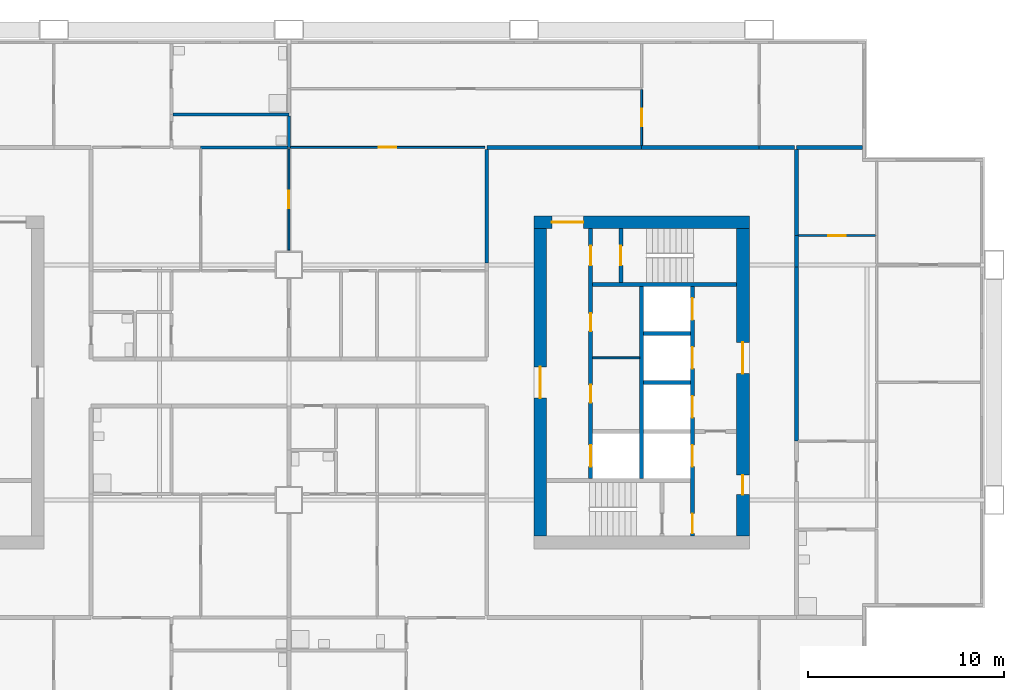
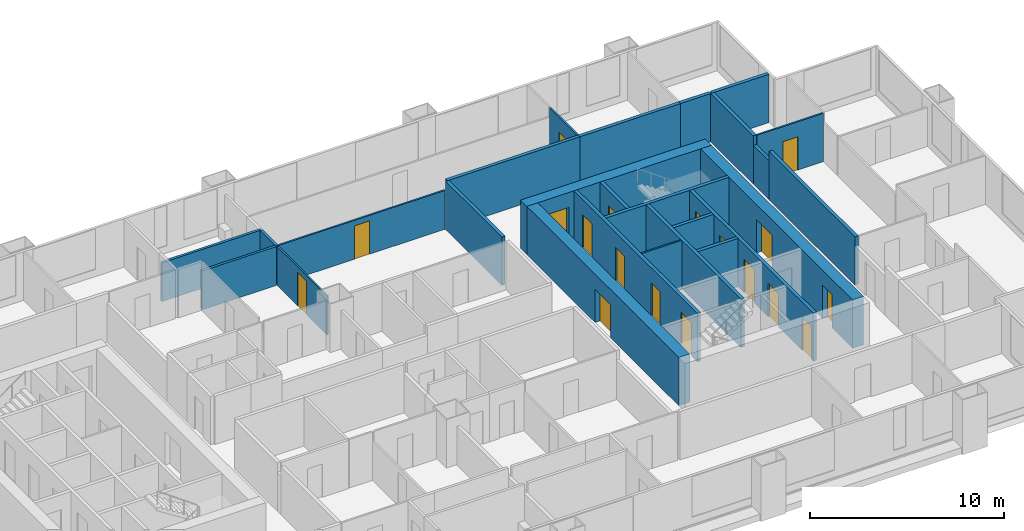
# One storey, part 7 of 11: 26 walls, 18 doors, 18 openings.
"""IFC4 building model written with IfcOpenShell, lengths in metres."""

from ifc_helpers import new_model, si_unit, direction, frame, frame_2d, origin, place, context, subcontext, project, spatial, rectangle, extrude, material, layer, layer_set, type_object, element, fill, save


model = new_model("IFC4")

# Units and contexts
model_context = context("Model", 3, precision=1e-05, world=origin(), true_north=direction((0.0, 1.0)))
body_context = subcontext(model_context, "Body", "Model", "MODEL_VIEW")
ifc_project = project(units=[si_unit("LENGTHUNIT", "METRE"), si_unit("AREAUNIT", "SQUARE_METRE"), si_unit("VOLUMEUNIT", "CUBIC_METRE"), si_unit("PLANEANGLEUNIT", "RADIAN"), si_unit("MASSUNIT", "GRAM", prefix="KILO")], contexts=[model_context])

# Site, building, storey
site_placement = place(None, origin())
site = spatial("IfcSite", under=ifc_project, at=site_placement, CompositionType="ELEMENT")
building_placement = place(site_placement, origin())
building = spatial("IfcBuilding", under=site, at=building_placement, Name="Kitamizu Gate Tower and Museum", CompositionType="ELEMENT")
storey_placement = place(building_placement, frame((0.0, 0.0, 103.5)))
storey = spatial("IfcBuildingStorey", under=building, at=storey_placement, Name="L26", CompositionType="ELEMENT", Elevation=103.5)

# Wall, opening, door
ifc_material_1 = material(Name="Concrete Fc60", Category="concrete")
ifc_layer_1 = layer(ifc_material_1, 0.64990234375)
ifc_layer_set_1 = layer_set([ifc_layer_1], Name="Concrete Fc60")
wall_type_1 = type_object("IfcWallType", Name="Core wall 650", PredefinedType="SHEAR", material=ifc_layer_set_1)
wall_1_placement = place(storey_placement, frame((59.5, 38.175048828125, 0.0), z_axis=(0.0, 0.0, 1.0), x_axis=(-1.0, 0.0, 0.0)))
wall_1 = element("IfcWall", 1, at=wall_1_placement, inside=storey, type_object=wall_type_1, Name="Core wall EN", PredefinedType="SHEAR", context=body_context, shape_type="SweptSolid", body=[
    extrude(rectangle(XDim=11.0, YDim=0.64990234375, at=frame_2d((5.5, 0.0))), origin(), (0.0, 0.0, 1.0), 3.050048828125),
])
opening_1_placement = place(wall_1_placement, frame((8.47509765625, 0.0, 0.0)))
opening_1 = element("IfcOpeningElement", 2, at=opening_1_placement, cuts=wall_1, Name="Opening L26-074", PredefinedType="OPENING", context=body_context, shape_type="SweptSolid", body=[
    extrude(rectangle(XDim=1.60009765625, YDim=2.10009765625, at=frame_2d((0.800048828125, 1.050048828125))), frame((0.0, 0.3349609375, 0.0), z_axis=(0.0, -1.0, 0.0), x_axis=(1.0, 0.0, 0.0)), (0.0, 0.0, 1.0), 0.669921875),
])
ifc_material_2 = material(Name="Timber door set", Category="wood")
door_type_1 = type_object("IfcDoorType", Name="Entrance door 1600", OperationType="DOUBLE_DOOR_SINGLE_SWING", PredefinedType="DOOR", material=ifc_material_2)
door_1_placement = place(opening_1_placement, origin())
door_1 = element("IfcDoor", 3, at=door_1_placement, inside=storey, type_object=door_type_1, Name="Lobby door L26-074", OperationType="DOUBLE_DOOR_SINGLE_SWING", OverallHeight=2.10009765625, OverallWidth=1.60009765625, PredefinedType="DOOR", context=body_context, shape_type="SweptSolid", body=[
    extrude(rectangle(XDim=1.60009765625, YDim=2.10009765625, at=frame_2d((0.800048828125, 1.050048828125))), frame((0.0, 0.02490234375, 0.0), z_axis=(0.0, -1.0, 0.0), x_axis=(1.0, 0.0, 0.0)), (0.0, 0.0, 1.0), 0.050048828125),
])
fill(opening_1, door_1)

# Wall, openings, doors
wall_2_placement = place(storey_placement, frame((59.175048828125, 22.14990234375, 0.0), z_axis=(0.0, 0.0, 1.0), x_axis=(0.0, 1.0, 0.0)))
wall_2 = element("IfcWall", 4, at=wall_2_placement, inside=storey, type_object=wall_type_1, Name="Core wall EOUT", PredefinedType="SHEAR", context=body_context, shape_type="SweptSolid", body=[
    extrude(rectangle(XDim=15.7001953125, YDim=0.64990234375, at=frame_2d((7.85009765625, 0.0))), origin(), (0.0, 0.0, 1.0), 3.050048828125),
])
opening_2_placement = place(wall_2_placement, frame((8.300048828125, 0.0, 0.0)))
opening_2 = element("IfcOpeningElement", 5, at=opening_2_placement, cuts=wall_2, Name="Opening L26-072", PredefinedType="OPENING", context=body_context, shape_type="SweptSolid", body=[
    extrude(rectangle(XDim=1.60009765625, YDim=2.10009765625, at=frame_2d((0.800048828125, 1.050048828125))), frame((0.0, 0.3349609375, 0.0), z_axis=(0.0, -1.0, 0.0), x_axis=(1.0, 0.0, 0.0)), (0.0, 0.0, 1.0), 0.669921875),
])
opening_3_placement = place(wall_2_placement, frame((2.125, 0.0, 0.0)))
opening_3 = element("IfcOpeningElement", 6, at=opening_3_placement, cuts=wall_2, Name="Opening L26-073", PredefinedType="OPENING", context=body_context, shape_type="SweptSolid", body=[
    extrude(rectangle(XDim=1.0, YDim=2.10009765625, at=frame_2d((0.5, 1.050048828125))), frame((0.0, 0.3349609375, 0.0), z_axis=(0.0, -1.0, 0.0), x_axis=(1.0, 0.0, 0.0)), (0.0, 0.0, 1.0), 0.669921875),
])
door_2_placement = place(opening_2_placement, origin())
door_2 = element("IfcDoor", 7, at=door_2_placement, inside=storey, type_object=door_type_1, Name="Lobby door L26-072", OperationType="DOUBLE_DOOR_SINGLE_SWING", OverallHeight=2.10009765625, OverallWidth=1.60009765625, PredefinedType="DOOR", context=body_context, shape_type="SweptSolid", body=[
    extrude(rectangle(XDim=1.60009765625, YDim=2.10009765625, at=frame_2d((0.800048828125, 1.050048828125))), frame((0.0, 0.02490234375, 0.0), z_axis=(0.0, -1.0, 0.0), x_axis=(1.0, 0.0, 0.0)), (0.0, 0.0, 1.0), 0.050048828125),
])
fill(opening_2, door_2)
ifc_material_3 = material(Name="Hollow metal door set")
door_type_2 = type_object("IfcDoorType", Name="Fire door 1000", OperationType="NOTDEFINED", PredefinedType="DOOR", material=ifc_material_3)
door_3_placement = place(opening_3_placement, origin())
door_3 = element("IfcDoor", 8, at=door_3_placement, inside=storey, type_object=door_type_2, Name="Fire-fighting lobby door L26-073", OperationType="SINGLE_SWING_LEFT", OverallHeight=2.10009765625, OverallWidth=1.0, PredefinedType="DOOR", context=body_context, shape_type="SweptSolid", body=[
    extrude(rectangle(XDim=1.0, YDim=2.10009765625, at=frame_2d((0.5, 1.050048828125))), frame((0.0, 0.02490234375, 0.0), z_axis=(0.0, -1.0, 0.0), x_axis=(1.0, 0.0, 0.0)), (0.0, 0.0, 1.0), 0.050048828125),
])
fill(opening_3, door_3)

# Wall, opening, door
wall_3_placement = place(storey_placement, frame((48.824951171875, 22.14990234375, 0.0), z_axis=(0.0, 0.0, 1.0), x_axis=(0.0, 1.0, 0.0)))
wall_3 = element("IfcWall", 9, at=wall_3_placement, inside=storey, type_object=wall_type_1, Name="Core wall EARC", PredefinedType="SHEAR", context=body_context, shape_type="SweptSolid", body=[
    extrude(rectangle(XDim=15.7001953125, YDim=0.64990234375, at=frame_2d((7.85009765625, 0.0))), origin(), (0.0, 0.0, 1.0), 3.050048828125),
])
opening_4_placement = place(wall_3_placement, frame((7.050048828125, 0.0, 0.0)))
opening_4 = element("IfcOpeningElement", 10, at=opening_4_placement, cuts=wall_3, Name="Opening L26-075", PredefinedType="OPENING", context=body_context, shape_type="SweptSolid", body=[
    extrude(rectangle(XDim=1.60009765625, YDim=2.10009765625, at=frame_2d((0.800048828125, 1.050048828125))), frame((0.0, 0.3349609375, 0.0), z_axis=(0.0, -1.0, 0.0), x_axis=(1.0, 0.0, 0.0)), (0.0, 0.0, 1.0), 0.669921875),
])
door_4_placement = place(opening_4_placement, origin())
door_4 = element("IfcDoor", 11, at=door_4_placement, inside=storey, type_object=door_type_1, Name="Lobby door L26-075", OperationType="DOUBLE_DOOR_SINGLE_SWING", OverallHeight=2.10009765625, OverallWidth=1.60009765625, PredefinedType="DOOR", context=body_context, shape_type="SweptSolid", body=[
    extrude(rectangle(XDim=1.60009765625, YDim=2.10009765625, at=frame_2d((0.800048828125, 1.050048828125))), frame((0.0, 0.02490234375, 0.0), z_axis=(0.0, -1.0, 0.0), x_axis=(1.0, 0.0, 0.0)), (0.0, 0.0, 1.0), 0.050048828125),
])
fill(opening_4, door_4)

# Wall
ifc_material_4 = material(Name="Gypsum board on galvanised stud")
ifc_layer_2 = layer(ifc_material_4, 0.10009765625)
ifc_layer_set_2 = layer_set([ifc_layer_2], Name="Gypsum board on galvanised stud")
wall_type_2 = type_object("IfcWallType", Name="Partition 100", PredefinedType="PARTITIONING", material=ifc_layer_set_2)
wall_4_placement = place(storey_placement, frame((53.89990234375, 31.25, 0.0), z_axis=(0.0, 0.0, 1.0), x_axis=(-1.0, 0.0, 0.0)))
element("IfcWall", 12, at=wall_4_placement, inside=storey, type_object=wall_type_2, Name="Partition EPF1", PredefinedType="PARTITIONING", context=body_context, shape_type="SweptSolid", body=[
    extrude(rectangle(XDim=2.39990234375, YDim=0.10009765625, at=frame_2d((1.199951171875, 0.0))), origin(), (0.0, 0.0, 1.0), 3.050048828125),
])

# Wall, opening, door
ifc_material_5 = material(Name="Gypsum board on galvanised stud")
ifc_layer_3 = layer(ifc_material_5, 0.10009765625)
ifc_layer_set_3 = layer_set([ifc_layer_3], Name="Gypsum board on galvanised stud")
wall_type_3 = type_object("IfcWallType", Name="Partition 100 NOT RATED", PredefinedType="PARTITIONING", material=ifc_layer_set_3)
wall_5_placement = place(storey_placement, frame((65.949951171875, 37.5, 0.0), z_axis=(0.0, 0.0, 1.0), x_axis=(-1.0, 0.0, 0.0)))
wall_5 = element("IfcWall", 13, at=wall_5_placement, inside=storey, type_object=wall_type_3, Name="Partition L26-088", PredefinedType="PARTITIONING", context=body_context, shape_type="SweptSolid", body=[
    extrude(rectangle(XDim=3.949951171875, YDim=0.10009765625, at=frame_2d((1.97509765625, 0.0))), origin(), (0.0, 0.0, 1.0), 3.050048828125),
])
opening_5_placement = place(wall_5_placement, frame((1.52490234375, 0.0, 0.0)))
opening_5 = element("IfcOpeningElement", 14, at=opening_5_placement, cuts=wall_5, Name="Opening L26-035", PredefinedType="OPENING", context=body_context, shape_type="SweptSolid", body=[
    extrude(rectangle(XDim=0.89990234375, YDim=2.10009765625, at=frame_2d((0.449951171875, 1.050048828125))), frame((0.0, 0.06005859375, 0.0), z_axis=(0.0, -1.0, 0.0), x_axis=(1.0, 0.0, 0.0)), (0.0, 0.0, 1.0), 0.1201171875),
])
ifc_material_6 = material(Name="Timber door set", Category="wood")
door_type_3 = type_object("IfcDoorType", Name="Room door 900", OperationType="NOTDEFINED", PredefinedType="DOOR", material=ifc_material_6)
door_5_placement = place(opening_5_placement, frame((0.89990234375, 0.0, 0.0), x_axis=(-1.0, 0.0, 0.0)))
door_5 = element("IfcDoor", 15, at=door_5_placement, inside=storey, type_object=door_type_3, Name="Door L26-035", OperationType="SINGLE_SWING_RIGHT", OverallHeight=2.10009765625, OverallWidth=0.89990234375, PredefinedType="DOOR", context=body_context, shape_type="SweptSolid", body=[
    extrude(rectangle(XDim=0.89990234375, YDim=2.10009765625, at=frame_2d((0.449951171875, 1.050048828125))), frame((0.0, 0.02490234375, 0.0), z_axis=(0.0, -1.0, 0.0), x_axis=(1.0, 0.0, 0.0)), (0.0, 0.0, 1.0), 0.050048828125),
])
fill(opening_5, door_5)

wall_6_placement = place(storey_placement, frame((54.0, 42.10009765625, 0.0), z_axis=(0.0, 0.0, 1.0), x_axis=(0.0, 1.0, 0.0)))
wall_6 = element("IfcWall", 16, at=wall_6_placement, inside=storey, type_object=wall_type_3, Name="Partition L26-110", PredefinedType="PARTITIONING", context=body_context, shape_type="SweptSolid", body=[
    extrude(rectangle(XDim=2.849853515625, YDim=0.10009765625, at=frame_2d((1.4248046875, 0.0))), origin(), (0.0, 0.0, 1.0), 3.050048828125),
])
opening_6_placement = place(wall_6_placement, frame((0.97509765625, 0.0, 0.0)))
opening_6 = element("IfcOpeningElement", 17, at=opening_6_placement, cuts=wall_6, Name="Opening L26-052", PredefinedType="OPENING", context=body_context, shape_type="SweptSolid", body=[
    extrude(rectangle(XDim=0.89990234375, YDim=2.10009765625, at=frame_2d((0.449951171875, 1.050048828125))), frame((0.0, 0.06005859375, 0.0), z_axis=(0.0, -1.0, 0.0), x_axis=(1.0, 0.0, 0.0)), (0.0, 0.0, 1.0), 0.1201171875),
])
door_6_placement = place(opening_6_placement, frame((0.89990234375, 0.0, 0.0), x_axis=(-1.0, 0.0, 0.0)))
door_6 = element("IfcDoor", 18, at=door_6_placement, inside=storey, type_object=door_type_3, Name="Door L26-052", OperationType="SINGLE_SWING_LEFT", OverallHeight=2.10009765625, OverallWidth=0.89990234375, PredefinedType="DOOR", context=body_context, shape_type="SweptSolid", body=[
    extrude(rectangle(XDim=0.89990234375, YDim=2.10009765625, at=frame_2d((0.449951171875, 1.050048828125))), frame((0.0, 0.02490234375, 0.0), z_axis=(0.0, -1.0, 0.0), x_axis=(1.0, 0.0, 0.0)), (0.0, 0.0, 1.0), 0.050048828125),
])
fill(opening_6, door_6)

wall_7_placement = place(storey_placement, frame((36.074951171875, 42.0, 0.0), z_axis=(0.0, 0.0, 1.0), x_axis=(1.0, 0.0, 0.0)))
wall_7 = element("IfcWall", 19, at=wall_7_placement, inside=storey, type_object=wall_type_3, Name="Partition L26-111", PredefinedType="PARTITIONING", context=body_context, shape_type="SweptSolid", body=[
    extrude(rectangle(XDim=9.925048828125, YDim=0.10009765625, at=frame_2d((4.96240234375, 0.0))), origin(), (0.0, 0.0, 1.0), 2.449951171875),
])
opening_7_placement = place(wall_7_placement, frame((4.512451171875, 0.0, 0.0)))
opening_7 = element("IfcOpeningElement", 20, at=opening_7_placement, cuts=wall_7, Name="Opening L26-050", PredefinedType="OPENING", context=body_context, shape_type="SweptSolid", body=[
    extrude(rectangle(XDim=0.89990234375, YDim=2.10009765625, at=frame_2d((0.449951171875, 1.050048828125))), frame((0.0, 0.06005859375, 0.0), z_axis=(0.0, -1.0, 0.0), x_axis=(1.0, 0.0, 0.0)), (0.0, 0.0, 1.0), 0.1201171875),
])
door_7_placement = place(opening_7_placement, origin())
door_7 = element("IfcDoor", 21, at=door_7_placement, inside=storey, type_object=door_type_3, Name="Door L26-050", OperationType="SINGLE_SWING_LEFT", OverallHeight=2.10009765625, OverallWidth=0.89990234375, PredefinedType="DOOR", context=body_context, shape_type="SweptSolid", body=[
    extrude(rectangle(XDim=0.89990234375, YDim=2.10009765625, at=frame_2d((0.449951171875, 1.050048828125))), frame((0.0, 0.02490234375, 0.0), z_axis=(0.0, -1.0, 0.0), x_axis=(1.0, 0.0, 0.0)), (0.0, 0.0, 1.0), 0.050048828125),
])
fill(opening_7, door_7)

wall_8_placement = place(storey_placement, frame((36.0, 36.75, 0.0), z_axis=(0.0, 0.0, 1.0), x_axis=(0.0, 1.0, 0.0)))
wall_8 = element("IfcWall", 22, at=wall_8_placement, inside=storey, type_object=wall_type_3, Name="Partition L26-123", PredefinedType="PARTITIONING", context=body_context, shape_type="SweptSolid", body=[
    extrude(rectangle(XDim=5.175048828125, YDim=0.10009765625, at=frame_2d((2.58740234375, 0.0))), origin(), (0.0, 0.0, 1.0), 2.449951171875),
])
opening_8_placement = place(wall_8_placement, frame((2.137451171875, 0.0, 0.0)))
opening_8 = element("IfcOpeningElement", 23, at=opening_8_placement, cuts=wall_8, Name="Opening L26-046", PredefinedType="OPENING", context=body_context, shape_type="SweptSolid", body=[
    extrude(rectangle(XDim=0.89990234375, YDim=2.10009765625, at=frame_2d((0.449951171875, 1.050048828125))), frame((0.0, 0.06005859375, 0.0), z_axis=(0.0, -1.0, 0.0), x_axis=(1.0, 0.0, 0.0)), (0.0, 0.0, 1.0), 0.1201171875),
])
door_8_placement = place(opening_8_placement, origin())
door_8 = element("IfcDoor", 24, at=door_8_placement, inside=storey, type_object=door_type_3, Name="Door L26-046", OperationType="SINGLE_SWING_LEFT", OverallHeight=2.10009765625, OverallWidth=0.89990234375, PredefinedType="DOOR", context=body_context, shape_type="SweptSolid", body=[
    extrude(rectangle(XDim=0.89990234375, YDim=2.10009765625, at=frame_2d((0.449951171875, 1.050048828125))), frame((0.0, 0.02490234375, 0.0), z_axis=(0.0, -1.0, 0.0), x_axis=(1.0, 0.0, 0.0)), (0.0, 0.0, 1.0), 0.050048828125),
])
fill(opening_8, door_8)

# Walls
ifc_material_7 = material(Name="Gypsum board on galvanised stud")
ifc_layer_4 = layer(ifc_material_7, 0.14990234375)
ifc_layer_set_4 = layer_set([ifc_layer_4], Name="Gypsum board on galvanised stud")
wall_type_4 = type_object("IfcWallType", Name="Partition 150", PredefinedType="PARTITIONING", material=ifc_layer_set_4)
wall_9_placement = place(storey_placement, frame((30.074951171875, 43.679931640625, 0.0), z_axis=(0.0, 0.0, 1.0), x_axis=(1.0, 0.0, 0.0)))
element("IfcWall", 25, at=wall_9_placement, inside=storey, type_object=wall_type_4, Name="Partition L26-103", PredefinedType="PARTITIONING", context=body_context, shape_type="SweptSolid", body=[
    extrude(rectangle(XDim=5.925048828125, YDim=0.14990234375, at=frame_2d((2.96240234375, 0.0))), origin(), (0.0, 0.0, 1.0), 2.449951171875),
])
wall_10_placement = place(storey_placement, frame((36.0, 42.0, 0.0), z_axis=(0.0, 0.0, 1.0), x_axis=(0.0, 1.0, 0.0)))
element("IfcWall", 26, at=wall_10_placement, inside=storey, type_object=wall_type_4, Name="Partition L26-106", PredefinedType="PARTITIONING", context=body_context, shape_type="SweptSolid", body=[
    extrude(rectangle(XDim=1.60498046875, YDim=0.14990234375, at=frame_2d((0.802490234375, 0.0))), origin(), (0.0, 0.0, 1.0), 2.449951171875),
])
wall_11_placement = place(storey_placement, frame((31.5, 42.0, 0.0), z_axis=(0.0, 0.0, 1.0), x_axis=(1.0, 0.0, 0.0)))
element("IfcWall", 27, at=wall_11_placement, inside=storey, type_object=wall_type_4, Name="Partition L26-108", PredefinedType="PARTITIONING", context=body_context, shape_type="SweptSolid", body=[
    extrude(rectangle(XDim=4.425048828125, YDim=0.14990234375, at=frame_2d((2.21240234375, 0.0))), origin(), (0.0, 0.0, 1.0), 2.449951171875),
])
ifc_material_8 = material(Name="Gypsum board on galvanised stud")
ifc_layer_5 = layer(ifc_material_8, 0.199951171875)
ifc_layer_set_5 = layer_set([ifc_layer_5], Name="Gypsum board on galvanised stud")
wall_type_5 = type_object("IfcWallType", Name="Partition 200", PredefinedType="PARTITIONING", material=ifc_layer_set_5)
wall_12_placement = place(storey_placement, frame((61.89990234375, 37.5, 0.0), z_axis=(0.0, 0.0, 1.0), x_axis=(0.0, -1.0, 0.0)))
element("IfcWall", 28, at=wall_12_placement, inside=storey, type_object=wall_type_5, Name="Partition L26-089", PredefinedType="PARTITIONING", context=body_context, shape_type="SweptSolid", body=[
    extrude(rectangle(XDim=1.60009765625, YDim=0.199951171875, at=frame_2d((0.800048828125, 0.0))), origin(), (0.0, 0.0, 1.0), 2.449951171875),
])
wall_13_placement = place(storey_placement, frame((61.89990234375, 35.89990234375, 0.0), z_axis=(0.0, 0.0, 1.0), x_axis=(0.0, -1.0, 0.0)))
element("IfcWall", 29, at=wall_13_placement, inside=storey, type_object=wall_type_5, Name="Partition L26-090", PredefinedType="PARTITIONING", context=body_context, shape_type="SweptSolid", body=[
    extrude(rectangle(XDim=8.89990234375, YDim=0.199951171875, at=frame_2d((4.449951171875, 0.0))), origin(), (0.0, 0.0, 1.0), 3.050048828125),
])
wall_14_placement = place(storey_placement, frame((65.280029296875, 42.0, 0.0), z_axis=(0.0, 0.0, 1.0), x_axis=(-1.0, 0.0, 0.0)))
element("IfcWall", 30, at=wall_14_placement, inside=storey, type_object=wall_type_5, Name="Partition L26-091", PredefinedType="PARTITIONING", context=body_context, shape_type="SweptSolid", body=[
    extrude(rectangle(XDim=3.380126953125, YDim=0.199951171875, at=frame_2d((1.68994140625, 0.0))), origin(), (0.0, 0.0, 1.0), 3.050048828125),
])
wall_15_placement = place(storey_placement, frame((61.89990234375, 41.89990234375, 0.0), z_axis=(0.0, 0.0, 1.0), x_axis=(0.0, -1.0, 0.0)))
element("IfcWall", 31, at=wall_15_placement, inside=storey, type_object=wall_type_5, Name="Partition L26-092", PredefinedType="PARTITIONING", context=body_context, shape_type="SweptSolid", body=[
    extrude(rectangle(XDim=4.39990234375, YDim=0.199951171875, at=frame_2d((2.199951171875, 0.0))), origin(), (0.0, 0.0, 1.0), 3.050048828125),
])
wall_16_placement = place(storey_placement, frame((46.10009765625, 42.0, 0.0), z_axis=(0.0, 0.0, 1.0), x_axis=(1.0, 0.0, 0.0)))
element("IfcWall", 32, at=wall_16_placement, inside=storey, type_object=wall_type_5, Name="Partition L26-112", PredefinedType="PARTITIONING", context=body_context, shape_type="SweptSolid", body=[
    extrude(rectangle(XDim=7.89990234375, YDim=0.199951171875, at=frame_2d((3.949951171875, 0.0))), origin(), (0.0, 0.0, 1.0), 3.050048828125),
])
wall_17_placement = place(storey_placement, frame((54.0, 42.0, 0.0), z_axis=(0.0, 0.0, 1.0), x_axis=(1.0, 0.0, 0.0)))
element("IfcWall", 33, at=wall_17_placement, inside=storey, type_object=wall_type_5, Name="Partition L26-115", PredefinedType="PARTITIONING", context=body_context, shape_type="SweptSolid", body=[
    extrude(rectangle(XDim=6.0, YDim=0.199951171875, at=frame_2d((3.0, 0.0))), origin(), (0.0, 0.0, 1.0), 3.050048828125),
])
wall_18_placement = place(storey_placement, frame((60.0, 42.0, 0.0), z_axis=(0.0, 0.0, 1.0), x_axis=(1.0, 0.0, 0.0)))
element("IfcWall", 34, at=wall_18_placement, inside=storey, type_object=wall_type_5, Name="Partition L26-116", PredefinedType="PARTITIONING", context=body_context, shape_type="SweptSolid", body=[
    extrude(rectangle(XDim=1.800048828125, YDim=0.199951171875, at=frame_2d((0.89990234375, 0.0))), origin(), (0.0, 0.0, 1.0), 3.050048828125),
])
wall_19_placement = place(storey_placement, frame((46.10009765625, 36.10009765625, 0.0), z_axis=(0.0, 0.0, 1.0), x_axis=(0.0, 1.0, 0.0)))
element("IfcWall", 35, at=wall_19_placement, inside=storey, type_object=wall_type_5, Name="Partition L26-139", PredefinedType="PARTITIONING", context=body_context, shape_type="SweptSolid", body=[
    extrude(rectangle(XDim=5.7998046875, YDim=0.199951171875, at=frame_2d((2.89990234375, 0.0))), origin(), (0.0, 0.0, 1.0), 3.050048828125),
])

# Wall, openings, doors
ifc_material_9 = material(Name="Concrete Fc42", Category="concrete")
ifc_layer_6 = layer(ifc_material_9, 0.199951171875)
ifc_layer_set_6 = layer_set([ifc_layer_6], Name="Concrete Fc42")
wall_type_6 = type_object("IfcWallType", Name="Shaft wall 200", PredefinedType="SOLIDWALL", material=ifc_layer_set_6)
wall_20_placement = place(storey_placement, frame((56.60009765625, 22.14990234375, 0.0), z_axis=(0.0, 0.0, 1.0), x_axis=(0.0, 1.0, 0.0)))
wall_20 = element("IfcWall", 36, at=wall_20_placement, inside=storey, type_object=wall_type_6, Name="Shaft wall EWEST", PredefinedType="SOLIDWALL", context=body_context, shape_type="SweptSolid", body=[
    extrude(rectangle(XDim=12.75, YDim=0.199951171875, at=frame_2d((6.375, 0.0))), origin(), (0.0, 0.0, 1.0), 3.050048828125),
])
opening_9_placement = place(wall_20_placement, frame((3.550048828125, 0.0, 0.0)))
opening_9 = element("IfcOpeningElement", 37, at=opening_9_placement, cuts=wall_20, Name="Opening LD", PredefinedType="OPENING", context=body_context, shape_type="SweptSolid", body=[
    extrude(rectangle(XDim=1.10009765625, YDim=2.10009765625, at=frame_2d((0.550048828125, 1.050048828125))), frame((0.0, 0.10986328125, 0.0), z_axis=(0.0, -1.0, 0.0), x_axis=(1.0, 0.0, 0.0)), (0.0, 0.0, 1.0), 0.219970703125),
])
opening_10_placement = place(wall_20_placement, frame((6.050048828125, 0.0, 0.0)))
opening_10 = element("IfcOpeningElement", 38, at=opening_10_placement, cuts=wall_20, Name="Opening LD", PredefinedType="OPENING", context=body_context, shape_type="SweptSolid", body=[
    extrude(rectangle(XDim=1.10009765625, YDim=2.10009765625, at=frame_2d((0.550048828125, 1.050048828125))), frame((0.0, 0.10986328125, 0.0), z_axis=(0.0, -1.0, 0.0), x_axis=(1.0, 0.0, 0.0)), (0.0, 0.0, 1.0), 0.219970703125),
])
opening_11_placement = place(wall_20_placement, frame((8.550048828125, 0.0, 0.0)))
opening_11 = element("IfcOpeningElement", 39, at=opening_11_placement, cuts=wall_20, Name="Opening LD", PredefinedType="OPENING", context=body_context, shape_type="SweptSolid", body=[
    extrude(rectangle(XDim=1.10009765625, YDim=2.10009765625, at=frame_2d((0.550048828125, 1.050048828125))), frame((0.0, 0.10986328125, 0.0), z_axis=(0.0, -1.0, 0.0), x_axis=(1.0, 0.0, 0.0)), (0.0, 0.0, 1.0), 0.219970703125),
])
opening_12_placement = place(wall_20_placement, frame((11.050048828125, 0.0, 0.0)))
opening_12 = element("IfcOpeningElement", 40, at=opening_12_placement, cuts=wall_20, Name="Opening LD", PredefinedType="OPENING", context=body_context, shape_type="SweptSolid", body=[
    extrude(rectangle(XDim=1.10009765625, YDim=2.10009765625, at=frame_2d((0.550048828125, 1.050048828125))), frame((0.0, 0.10986328125, 0.0), z_axis=(0.0, -1.0, 0.0), x_axis=(1.0, 0.0, 0.0)), (0.0, 0.0, 1.0), 0.219970703125),
])
opening_13_placement = place(wall_20_placement, frame((0.14990234375, 0.0, 0.0)))
opening_13 = element("IfcOpeningElement", 41, at=opening_13_placement, cuts=wall_20, Name="Opening L26-068", PredefinedType="OPENING", context=body_context, shape_type="SweptSolid", body=[
    extrude(rectangle(XDim=1.0, YDim=2.10009765625, at=frame_2d((0.5, 1.050048828125))), frame((0.0, 0.10986328125, 0.0), z_axis=(0.0, -1.0, 0.0), x_axis=(1.0, 0.0, 0.0)), (0.0, 0.0, 1.0), 0.219970703125),
])
door_9_placement = place(opening_13_placement, origin())
door_9 = element("IfcDoor", 42, at=door_9_placement, inside=storey, type_object=door_type_2, Name="Stair lobby door L26-068", OperationType="SINGLE_SWING_RIGHT", OverallHeight=2.10009765625, OverallWidth=1.0, PredefinedType="DOOR", context=body_context, shape_type="SweptSolid", body=[
    extrude(rectangle(XDim=1.0, YDim=2.10009765625, at=frame_2d((0.5, 1.050048828125))), frame((0.0, 0.02490234375, 0.0), z_axis=(0.0, -1.0, 0.0), x_axis=(1.0, 0.0, 0.0)), (0.0, 0.0, 1.0), 0.050048828125),
])
fill(opening_13, door_9)
ifc_material_10 = material(Name="Hollow metal door set")
door_type_4 = type_object("IfcDoorType", Name="Landing door 1100", OperationType="SLIDING_TO_LEFT", PredefinedType="DOOR", material=ifc_material_10)
door_10_placement = place(opening_9_placement, origin())
door_10 = element("IfcDoor", 43, at=door_10_placement, inside=storey, type_object=door_type_4, Name="Landing door EFF1", OperationType="SLIDING_TO_LEFT", OverallHeight=2.10009765625, OverallWidth=1.10009765625, PredefinedType="DOOR", context=body_context, shape_type="SweptSolid", body=[
    extrude(rectangle(XDim=1.10009765625, YDim=2.10009765625, at=frame_2d((0.550048828125, 1.050048828125))), frame((0.0, 0.02490234375, 0.0), z_axis=(0.0, -1.0, 0.0), x_axis=(1.0, 0.0, 0.0)), (0.0, 0.0, 1.0), 0.050048828125),
])
fill(opening_9, door_10)
door_11_placement = place(opening_10_placement, origin())
door_11 = element("IfcDoor", 44, at=door_11_placement, inside=storey, type_object=door_type_4, Name="Landing door EL1", OperationType="SLIDING_TO_LEFT", OverallHeight=2.10009765625, OverallWidth=1.10009765625, PredefinedType="DOOR", context=body_context, shape_type="SweptSolid", body=[
    extrude(rectangle(XDim=1.10009765625, YDim=2.10009765625, at=frame_2d((0.550048828125, 1.050048828125))), frame((0.0, 0.02490234375, 0.0), z_axis=(0.0, -1.0, 0.0), x_axis=(1.0, 0.0, 0.0)), (0.0, 0.0, 1.0), 0.050048828125),
])
fill(opening_10, door_11)
door_12_placement = place(opening_11_placement, origin())
door_12 = element("IfcDoor", 45, at=door_12_placement, inside=storey, type_object=door_type_4, Name="Landing door EL2", OperationType="SLIDING_TO_LEFT", OverallHeight=2.10009765625, OverallWidth=1.10009765625, PredefinedType="DOOR", context=body_context, shape_type="SweptSolid", body=[
    extrude(rectangle(XDim=1.10009765625, YDim=2.10009765625, at=frame_2d((0.550048828125, 1.050048828125))), frame((0.0, 0.02490234375, 0.0), z_axis=(0.0, -1.0, 0.0), x_axis=(1.0, 0.0, 0.0)), (0.0, 0.0, 1.0), 0.050048828125),
])
fill(opening_11, door_12)
door_13_placement = place(opening_12_placement, origin())
door_13 = element("IfcDoor", 46, at=door_13_placement, inside=storey, type_object=door_type_4, Name="Landing door EL3", OperationType="SLIDING_TO_LEFT", OverallHeight=2.10009765625, OverallWidth=1.10009765625, PredefinedType="DOOR", context=body_context, shape_type="SweptSolid", body=[
    extrude(rectangle(XDim=1.10009765625, YDim=2.10009765625, at=frame_2d((0.550048828125, 1.050048828125))), frame((0.0, 0.02490234375, 0.0), z_axis=(0.0, -1.0, 0.0), x_axis=(1.0, 0.0, 0.0)), (0.0, 0.0, 1.0), 0.050048828125),
])
fill(opening_12, door_13)

wall_21_placement = place(storey_placement, frame((51.39990234375, 25.10009765625, 0.0), z_axis=(0.0, 0.0, 1.0), x_axis=(0.0, 1.0, 0.0)))
wall_21 = element("IfcWall", 47, at=wall_21_placement, inside=storey, type_object=wall_type_6, Name="Shaft wall EEAST", PredefinedType="SOLIDWALL", context=body_context, shape_type="SweptSolid", body=[
    extrude(rectangle(XDim=12.75, YDim=0.199951171875, at=frame_2d((6.375, 0.0))), origin(), (0.0, 0.0, 1.0), 3.050048828125),
])
opening_14_placement = place(wall_21_placement, frame((0.60009765625, 0.0, 0.0)))
opening_14 = element("IfcOpeningElement", 48, at=opening_14_placement, cuts=wall_21, Name="Opening LD", PredefinedType="OPENING", context=body_context, shape_type="SweptSolid", body=[
    extrude(rectangle(XDim=1.10009765625, YDim=2.10009765625, at=frame_2d((0.550048828125, 1.050048828125))), frame((0.0, 0.10986328125, 0.0), z_axis=(0.0, -1.0, 0.0), x_axis=(1.0, 0.0, 0.0)), (0.0, 0.0, 1.0), 0.219970703125),
])
opening_15_placement = place(wall_21_placement, frame((10.875, 0.0, 0.0)))
opening_15 = element("IfcOpeningElement", 49, at=opening_15_placement, cuts=wall_21, Name="Opening L26-069", PredefinedType="OPENING", context=body_context, shape_type="SweptSolid", body=[
    extrude(rectangle(XDim=1.0, YDim=2.10009765625, at=frame_2d((0.5, 1.050048828125))), frame((0.0, 0.10986328125, 0.0), z_axis=(0.0, -1.0, 0.0), x_axis=(1.0, 0.0, 0.0)), (0.0, 0.0, 1.0), 0.219970703125),
])
opening_16_placement = place(wall_21_placement, frame((3.875, 0.0, 0.0)))
opening_16 = element("IfcOpeningElement", 50, at=opening_16_placement, cuts=wall_21, Name="Opening L26-076", PredefinedType="OPENING", context=body_context, shape_type="SweptSolid", body=[
    extrude(rectangle(XDim=0.89990234375, YDim=2.10009765625, at=frame_2d((0.449951171875, 1.050048828125))), frame((0.0, 0.10986328125, 0.0), z_axis=(0.0, -1.0, 0.0), x_axis=(1.0, 0.0, 0.0)), (0.0, 0.0, 1.0), 0.219970703125),
])
opening_17_placement = place(wall_21_placement, frame((7.52490234375, 0.0, 0.0)))
opening_17 = element("IfcOpeningElement", 51, at=opening_17_placement, cuts=wall_21, Name="Opening L26-077", PredefinedType="OPENING", context=body_context, shape_type="SweptSolid", body=[
    extrude(rectangle(XDim=0.89990234375, YDim=2.10009765625, at=frame_2d((0.449951171875, 1.050048828125))), frame((0.0, 0.10986328125, 0.0), z_axis=(0.0, -1.0, 0.0), x_axis=(1.0, 0.0, 0.0)), (0.0, 0.0, 1.0), 0.219970703125),
])
door_14_placement = place(opening_15_placement, frame((1.0, 0.0, 0.0), x_axis=(-1.0, 0.0, 0.0)))
door_14 = element("IfcDoor", 52, at=door_14_placement, inside=storey, type_object=door_type_2, Name="Stair lobby door L26-069", OperationType="SINGLE_SWING_LEFT", OverallHeight=2.10009765625, OverallWidth=1.0, PredefinedType="DOOR", context=body_context, shape_type="SweptSolid", body=[
    extrude(rectangle(XDim=1.0, YDim=2.10009765625, at=frame_2d((0.5, 1.050048828125))), frame((0.0, 0.02490234375, 0.0), z_axis=(0.0, -1.0, 0.0), x_axis=(1.0, 0.0, 0.0)), (0.0, 0.0, 1.0), 0.050048828125),
])
fill(opening_15, door_14)
door_15_placement = place(opening_14_placement, origin())
door_15 = element("IfcDoor", 53, at=door_15_placement, inside=storey, type_object=door_type_4, Name="Landing door ESV1", OperationType="SLIDING_TO_LEFT", OverallHeight=2.10009765625, OverallWidth=1.10009765625, PredefinedType="DOOR", context=body_context, shape_type="SweptSolid", body=[
    extrude(rectangle(XDim=1.10009765625, YDim=2.10009765625, at=frame_2d((0.550048828125, 1.050048828125))), frame((0.0, 0.02490234375, 0.0), z_axis=(0.0, -1.0, 0.0), x_axis=(1.0, 0.0, 0.0)), (0.0, 0.0, 1.0), 0.050048828125),
])
fill(opening_14, door_15)
ifc_material_11 = material(Name="Timber door set", Category="wood")
door_type_5 = type_object("IfcDoorType", Name="Service door 900", OperationType="NOTDEFINED", PredefinedType="DOOR", material=ifc_material_11)
door_16_placement = place(opening_16_placement, frame((0.89990234375, 0.0, 0.0), x_axis=(-1.0, 0.0, 0.0)))
door_16 = element("IfcDoor", 54, at=door_16_placement, inside=storey, type_object=door_type_5, Name="Service door L26-076", OperationType="SINGLE_SWING_LEFT", OverallHeight=2.10009765625, OverallWidth=0.89990234375, PredefinedType="DOOR", context=body_context, shape_type="SweptSolid", body=[
    extrude(rectangle(XDim=0.89990234375, YDim=2.10009765625, at=frame_2d((0.449951171875, 1.050048828125))), frame((0.0, 0.02490234375, 0.0), z_axis=(0.0, -1.0, 0.0), x_axis=(1.0, 0.0, 0.0)), (0.0, 0.0, 1.0), 0.050048828125),
])
fill(opening_16, door_16)
door_17_placement = place(opening_17_placement, frame((0.89990234375, 0.0, 0.0), x_axis=(-1.0, 0.0, 0.0)))
door_17 = element("IfcDoor", 55, at=door_17_placement, inside=storey, type_object=door_type_5, Name="Service door L26-077", OperationType="SINGLE_SWING_RIGHT", OverallHeight=2.10009765625, OverallWidth=0.89990234375, PredefinedType="DOOR", context=body_context, shape_type="SweptSolid", body=[
    extrude(rectangle(XDim=0.89990234375, YDim=2.10009765625, at=frame_2d((0.449951171875, 1.050048828125))), frame((0.0, 0.02490234375, 0.0), z_axis=(0.0, -1.0, 0.0), x_axis=(1.0, 0.0, 0.0)), (0.0, 0.0, 1.0), 0.050048828125),
])
fill(opening_17, door_17)

# Walls
wall_22_placement = place(storey_placement, frame((54.0, 25.10009765625, 0.0), z_axis=(0.0, 0.0, 1.0), x_axis=(0.0, 1.0, 0.0)))
element("IfcWall", 56, at=wall_22_placement, inside=storey, type_object=wall_type_6, Name="Shaft wall EMID", PredefinedType="SOLIDWALL", context=body_context, shape_type="SweptSolid", body=[
    extrude(rectangle(XDim=9.7998046875, YDim=0.199951171875, at=frame_2d((4.89990234375, 0.0))), origin(), (0.0, 0.0, 1.0), 3.050048828125),
])
wall_23_placement = place(storey_placement, frame((58.85009765625, 35.0, 0.0), z_axis=(0.0, 0.0, 1.0), x_axis=(-1.0, 0.0, 0.0)))
element("IfcWall", 57, at=wall_23_placement, inside=storey, type_object=wall_type_6, Name="Shaft wall ENB", PredefinedType="SOLIDWALL", context=body_context, shape_type="SweptSolid", body=[
    extrude(rectangle(XDim=7.35009765625, YDim=0.199951171875, at=frame_2d((3.675048828125, 0.0))), origin(), (0.0, 0.0, 1.0), 3.050048828125),
])

# Wall, opening, door
wall_24_placement = place(storey_placement, frame((52.949951171875, 35.10009765625, 0.0), z_axis=(0.0, 0.0, 1.0), x_axis=(0.0, 1.0, 0.0)))
wall_24 = element("IfcWall", 58, at=wall_24_placement, inside=storey, type_object=wall_type_6, Name="Shaft wall ENZ", PredefinedType="SOLIDWALL", context=body_context, shape_type="SweptSolid", body=[
    extrude(rectangle(XDim=2.75, YDim=0.199951171875, at=frame_2d((1.375, 0.0))), origin(), (0.0, 0.0, 1.0), 3.050048828125),
])
opening_18_placement = place(wall_24_placement, frame((0.875, 0.0, 0.0)))
opening_18 = element("IfcOpeningElement", 59, at=opening_18_placement, cuts=wall_24, Name="Opening L26-070", PredefinedType="OPENING", context=body_context, shape_type="SweptSolid", body=[
    extrude(rectangle(XDim=1.0, YDim=2.10009765625, at=frame_2d((0.5, 1.050048828125))), frame((0.0, 0.10986328125, 0.0), z_axis=(0.0, -1.0, 0.0), x_axis=(1.0, 0.0, 0.0)), (0.0, 0.0, 1.0), 0.219970703125),
])
door_18_placement = place(opening_18_placement, frame((1.0, 0.0, 0.0), x_axis=(-1.0, 0.0, 0.0)))
door_18 = element("IfcDoor", 60, at=door_18_placement, inside=storey, type_object=door_type_2, Name="Stair door L26-070", OperationType="SINGLE_SWING_RIGHT", OverallHeight=2.10009765625, OverallWidth=1.0, PredefinedType="DOOR", context=body_context, shape_type="SweptSolid", body=[
    extrude(rectangle(XDim=1.0, YDim=2.10009765625, at=frame_2d((0.5, 1.050048828125))), frame((0.0, 0.02490234375, 0.0), z_axis=(0.0, -1.0, 0.0), x_axis=(1.0, 0.0, 0.0)), (0.0, 0.0, 1.0), 0.050048828125),
])
fill(opening_18, door_18)

# Walls
for number, where, z_axis, x_axis, name in (
    (61, (56.5, 30.0, 0.0), (0.0, 0.0, 1.0), (-1.0, 0.0, 0.0), "Shaft wall EDVW1"),
    (62, (56.5, 32.5, 0.0), (0.0, 0.0, 1.0), (-1.0, 0.0, 0.0), "Shaft wall EDVW2"),
):
    element("IfcWall", number, at=place(storey_placement, frame(where, z_axis=z_axis, x_axis=x_axis)), inside=storey, type_object=wall_type_6, Name=name, PredefinedType="SOLIDWALL", context=body_context, shape_type="SweptSolid", body=[
        extrude(rectangle(XDim=2.39990234375, YDim=0.199951171875, at=frame_2d((1.199951171875, 0.0))), origin(), (0.0, 0.0, 1.0), 3.050048828125),
    ])

save(model, "model.ifc")
